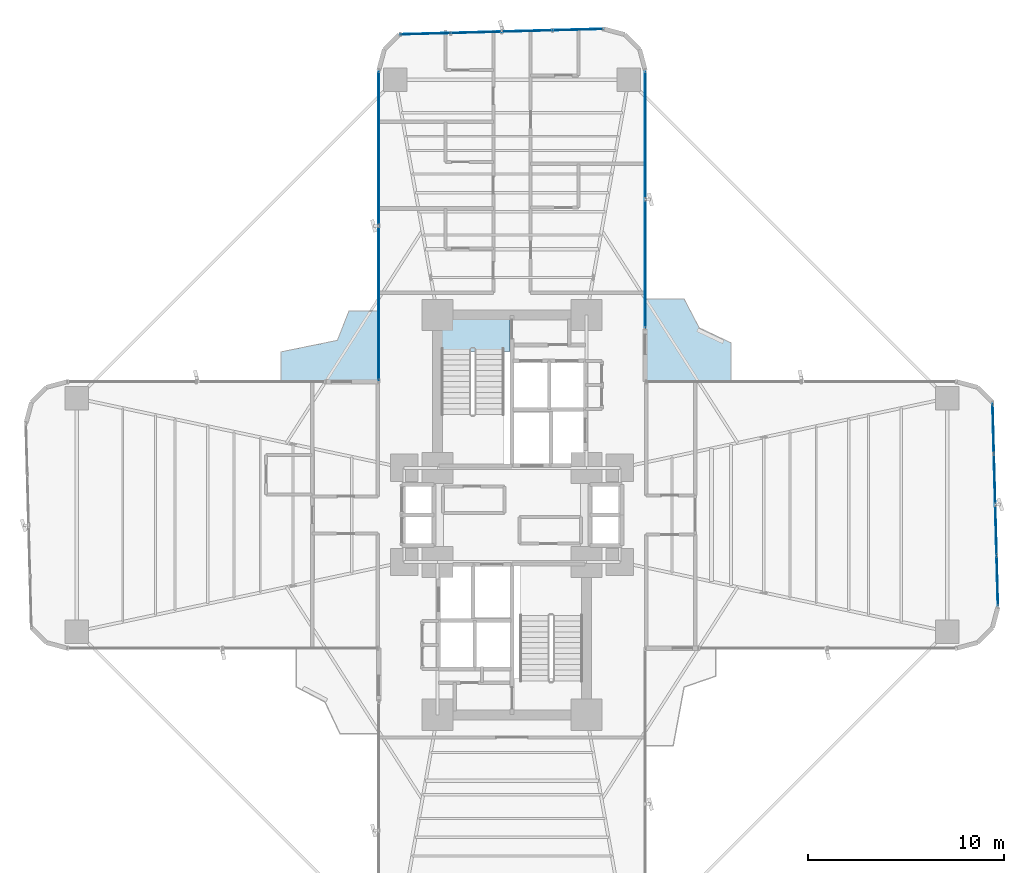
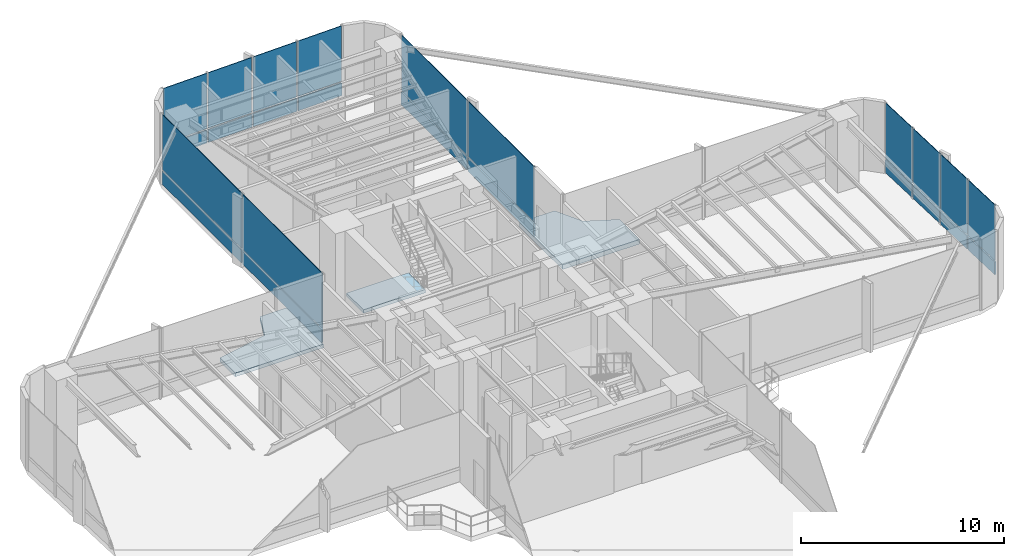
# One storey, part 14 of 20: 24 plates, 3 slabs, 4 elements without a shape of their own.
"""IFC4 building model written with IfcOpenShell, lengths in metres."""

from ifc_helpers import new_model, si_unit, direction, frame, origin, origin_2d, place, context, subcontext, project, spatial, polyline, rectangle, outline, extrude, source, transform, mapped, material, layer, layer_set, type_object, element, aggregate, save


model = new_model("IFC4")

# Units and contexts
model_context = context("Model", 3, precision=1e-05, world=origin(), true_north=direction((0.0, 1.0)))
body_context = subcontext(model_context, "Body", "Model", "MODEL_VIEW")
ifc_project = project(units=[si_unit("LENGTHUNIT", "METRE"), si_unit("AREAUNIT", "SQUARE_METRE"), si_unit("VOLUMEUNIT", "CUBIC_METRE"), si_unit("PLANEANGLEUNIT", "RADIAN"), si_unit("MASSUNIT", "GRAM", prefix="KILO")], contexts=[model_context])

# Site, building, storey
site_placement = place(None, origin())
site = spatial("IfcSite", under=ifc_project, at=site_placement, CompositionType="ELEMENT")
building_placement = place(site_placement, origin())
building = spatial("IfcBuilding", under=site, at=building_placement, Name="Sahyath Konkavel Grand Hotel", CompositionType="ELEMENT")
storey_placement = place(building_placement, frame((0.0, 0.0, 46.550048828125)))
storey = spatial("IfcBuildingStorey", under=building, at=storey_placement, Name="L12", CompositionType="ELEMENT", Elevation=46.550048828125)

# Slabs
ifc_material_1 = material(Name="Concrete C40/50", Category="concrete")
ifc_layer_1 = layer(ifc_material_1, 0.219970703125)
ifc_layer_set_1 = layer_set([ifc_layer_1], Name="Concrete C40/50")
slab_type_1 = type_object("IfcSlabType", Name="SLB-BALCONY-220", PredefinedType="FLOOR", material=ifc_layer_set_1)
slab_1_placement = place(storey_placement, frame((0.0, 0.0, -0.219970703125)))
element("IfcSlab", 1, at=slab_1_placement, inside=storey, type_object=slab_type_1, Name="L12 Winter-Garden Balcony NW", PredefinedType="FLOOR", context=body_context, shape_type="SweptSolid", body=[
    extrude(outline(polyline([(-6.800048828125, 6.800048828125), (-6.800048828125, 10.404052734375), (-8.319091796875, 10.404052734375), (-8.909912109375, 8.909912109375), (-11.7958984375, 8.319091796875), (-11.7958984375, 6.800048828125), (-6.800048828125, 6.800048828125)])), origin(), (0.0, 0.0, 1.0), 0.219970703125),
])
ifc_layer_2 = layer(ifc_material_1, 0.280029296875)
ifc_layer_set_2 = layer_set([ifc_layer_2], Name="Concrete C40/50")
slab_type_2 = type_object("IfcSlabType", Name="SLB-SKYGARDEN-280", PredefinedType="ROOF", material=ifc_layer_set_2)
slab_2_placement = place(storey_placement, frame((0.0, 0.0, -0.280029296875)))
element("IfcSlab", 2, at=slab_2_placement, inside=storey, type_object=slab_type_2, Name="L12 Planted Sky Garden Terrace NE", PredefinedType="ROOF", context=body_context, shape_type="SweptSolid", body=[
    extrude(outline(polyline([(6.800048828125, 6.800048828125), (11.177001953125, 6.800048828125), (11.177001953125, 8.780029296875), (9.550048828125, 9.550048828125), (8.780029296875, 11.02294921875), (6.800048828125, 11.02294921875), (6.800048828125, 6.800048828125)])), origin(), (0.0, 0.0, 1.0), 0.280029296875),
])
ifc_layer_3 = layer(ifc_material_1, 0.199951171875)
ifc_layer_set_3 = layer_set([ifc_layer_3], Name="Concrete C40/50")
slab_type_3 = type_object("IfcSlabType", Name="SLB-STAIR-LND", PredefinedType="LANDING", material=ifc_layer_set_3)
slab_3_placement = place(storey_placement, frame((0.0, 0.0, -0.199951171875)))
element("IfcSlab", 3, at=slab_3_placement, inside=storey, type_object=slab_type_3, Name="L12 Stair ST-1 Floor Landing Slab", PredefinedType="LANDING", context=body_context, shape_type="SweptSolid", body=[
    extrude(outline(polyline([(-3.6201171875, 8.35009765625), (-0.10009765625, 8.35009765625), (-0.10009765625, 10.02001953125), (-3.6201171875, 10.02001953125), (-3.6201171875, 8.35009765625)])), origin(), (0.0, 0.0, 1.0), 0.199951171875),
])

# Curtain wall, plates
ifc_material_2 = material(Name="Anodised Bronze Aluminium & Low-E Glazing", Category="aluminium")
curtain_wall_type = type_object("IfcCurtainWallType", Name="CW-SKYLOBBY", PredefinedType="NOTDEFINED", material=ifc_material_2)
curtain_wall_1_placement = place(storey_placement, origin())
curtain_wall_1 = element("IfcCurtainWall", 4, at=curtain_wall_1_placement, inside=storey, type_object=curtain_wall_type, Name="L12 Unitised Curtain Wall F15", PredefinedType="NOTDEFINED")
ifc_material_3 = material(Name="Warm Buff Sandstone Cladding", Category="masonry")
ifc_layer_4 = layer(ifc_material_3, 0.074951171875)
ifc_layer_set_4 = layer_set([ifc_layer_4], Name="Warm Buff Sandstone Cladding")
plate_type_1 = type_object("IfcPlateType", Name="PNL-SPANDREL-STONE", PredefinedType="SHEET", material=ifc_layer_set_4)
shared_shape_1 = source(origin(), body_context, "Body", "SweptSolid", [
    extrude(rectangle(XDim=7.830078125, YDim=0.074951171875, at=origin_2d()), origin(), (0.0, 0.0, 1.0), 0.77001953125),
])
plate_1_placement = place(storey_placement, frame((-6.800048828125, 18.705078125, 0.0400390625), z_axis=(0.0, 0.0, 1.0), x_axis=(0.0, -1.0, 0.0)))
plate_1 = element("IfcPlate", 5, at=plate_1_placement, type_object=plate_type_1, Name="L12 Sandstone Relief Spandrel Panel F15-0", PredefinedType="SHEET", context=body_context, shape_type="MappedRepresentation", body=[
    mapped(shared_shape_1, transform((0.0, 0.0, 0.0), scale=1.0)),
])
plate_2_placement = place(storey_placement, frame((-6.800048828125, 10.794921875, 0.0400390625), z_axis=(0.0, 0.0, 1.0), x_axis=(0.0, -1.0, 0.0)))
plate_2 = element("IfcPlate", 6, at=plate_2_placement, type_object=plate_type_1, Name="L12 Sandstone Relief Spandrel Panel F15-1", PredefinedType="SHEET", context=body_context, shape_type="MappedRepresentation", body=[
    mapped(shared_shape_1, transform((0.0, 0.0, 0.0), scale=1.0)),
])

curtain_wall_2_placement = place(storey_placement, origin())
curtain_wall_2 = element("IfcCurtainWall", 7, at=curtain_wall_2_placement, inside=storey, type_object=curtain_wall_type, Name="L12 Unitised Curtain Wall F4", PredefinedType="NOTDEFINED")
shared_shape_2 = source(origin(), body_context, "Body", "SweptSolid", [
    extrude(rectangle(XDim=2.513427734375, YDim=0.074951171875, at=origin_2d()), origin(), (0.0, 0.0, 1.0), 0.77001953125),
])
plate_3_placement = place(storey_placement, frame((24.763916015625, -3.36376953125, 0.0400390625), z_axis=(0.0, 0.0, 1.0), x_axis=(-0.026909728301, 0.999637867691, 0.0)))
plate_3 = element("IfcPlate", 8, at=plate_3_placement, type_object=plate_type_1, Name="L12 Sandstone Relief Spandrel Panel F4-0", PredefinedType="SHEET", context=body_context, shape_type="MappedRepresentation", body=[
    mapped(shared_shape_2, transform((0.0, 0.0, 0.0), scale=1.0)),
])
plate_4_placement = place(storey_placement, frame((24.694091796875, -0.771240234375, 0.0400390625), z_axis=(0.0, 0.0, 1.0), x_axis=(-0.026909728301, 0.999637867691, 0.0)))
plate_4 = element("IfcPlate", 9, at=plate_4_placement, type_object=plate_type_1, Name="L12 Sandstone Relief Spandrel Panel F4-1", PredefinedType="SHEET", context=body_context, shape_type="MappedRepresentation", body=[
    mapped(shared_shape_2, transform((0.0, 0.0, 0.0), scale=1.0)),
])
plate_5_placement = place(storey_placement, frame((24.62451171875, 1.8212890625, 0.0400390625), z_axis=(0.0, 0.0, 1.0), x_axis=(-0.026909728301, 0.999637867691, 0.0)))
plate_5 = element("IfcPlate", 10, at=plate_5_placement, type_object=plate_type_1, Name="L12 Sandstone Relief Spandrel Panel F4-2", PredefinedType="SHEET", context=body_context, shape_type="MappedRepresentation", body=[
    mapped(shared_shape_2, transform((0.0, 0.0, 0.0), scale=1.0)),
])
plate_6_placement = place(storey_placement, frame((24.5546875, 4.413818359375, 0.0400390625), z_axis=(0.0, 0.0, 1.0), x_axis=(-0.026909728301, 0.999637867691, 0.0)))
plate_6 = element("IfcPlate", 11, at=plate_6_placement, type_object=plate_type_1, Name="L12 Sandstone Relief Spandrel Panel F4-3", PredefinedType="SHEET", context=body_context, shape_type="MappedRepresentation", body=[
    mapped(shared_shape_2, transform((0.0, 0.0, 0.0), scale=1.0)),
])

curtain_wall_3_placement = place(storey_placement, origin())
curtain_wall_3 = element("IfcCurtainWall", 12, at=curtain_wall_3_placement, inside=storey, type_object=curtain_wall_type, Name="L12 Unitised Curtain Wall F12", PredefinedType="NOTDEFINED")
plate_7_placement = place(storey_placement, frame((3.36376953125, 24.763916015625, 0.0400390625), z_axis=(0.0, 0.0, 1.0), x_axis=(-0.999637867691, -0.026909728301, 0.0)))
plate_7 = element("IfcPlate", 13, at=plate_7_placement, type_object=plate_type_1, Name="L12 Sandstone Relief Spandrel Panel F12-0", PredefinedType="SHEET", context=body_context, shape_type="MappedRepresentation", body=[
    mapped(shared_shape_2, transform((0.0, 0.0, 0.0), scale=1.0)),
])
plate_8_placement = place(storey_placement, frame((0.771240234375, 24.694091796875, 0.0400390625), z_axis=(0.0, 0.0, 1.0), x_axis=(-0.999637867691, -0.026909728301, 0.0)))
plate_8 = element("IfcPlate", 14, at=plate_8_placement, type_object=plate_type_1, Name="L12 Sandstone Relief Spandrel Panel F12-1", PredefinedType="SHEET", context=body_context, shape_type="MappedRepresentation", body=[
    mapped(shared_shape_2, transform((0.0, 0.0, 0.0), scale=1.0)),
])
plate_9_placement = place(storey_placement, frame((-1.8212890625, 24.62451171875, 0.0400390625), z_axis=(0.0, 0.0, 1.0), x_axis=(-0.999637867691, -0.026909728301, 0.0)))
plate_9 = element("IfcPlate", 15, at=plate_9_placement, type_object=plate_type_1, Name="L12 Sandstone Relief Spandrel Panel F12-2", PredefinedType="SHEET", context=body_context, shape_type="MappedRepresentation", body=[
    mapped(shared_shape_2, transform((0.0, 0.0, 0.0), scale=1.0)),
])
plate_10_placement = place(storey_placement, frame((-4.413818359375, 24.5546875, 0.0400390625), z_axis=(0.0, 0.0, 1.0), x_axis=(-0.999637867691, -0.026909728301, 0.0)))
plate_10 = element("IfcPlate", 16, at=plate_10_placement, type_object=plate_type_1, Name="L12 Sandstone Relief Spandrel Panel F12-3", PredefinedType="SHEET", context=body_context, shape_type="MappedRepresentation", body=[
    mapped(shared_shape_2, transform((0.0, 0.0, 0.0), scale=1.0)),
])

curtain_wall_4_placement = place(storey_placement, origin())
curtain_wall_4 = element("IfcCurtainWall", 17, at=curtain_wall_4_placement, inside=storey, type_object=curtain_wall_type, Name="L12 Unitised Curtain Wall F8", PredefinedType="NOTDEFINED")
shared_shape_3 = source(origin(), body_context, "Body", "SweptSolid", [
    extrude(rectangle(XDim=6.47998046875, YDim=0.074951171875, at=origin_2d()), origin(), (0.0, 0.0, 1.0), 0.77001953125),
])
plate_11_placement = place(storey_placement, frame((6.800048828125, 12.820068359375, 0.0400390625), z_axis=(0.0, 0.0, 1.0), x_axis=(0.0, 1.0, 0.0)))
plate_11 = element("IfcPlate", 18, at=plate_11_placement, type_object=plate_type_1, Name="L12 Sandstone Relief Spandrel Panel F8-0", PredefinedType="SHEET", context=body_context, shape_type="MappedRepresentation", body=[
    mapped(shared_shape_3, transform((0.0, 0.0, 0.0), scale=1.0)),
])
plate_12_placement = place(storey_placement, frame((6.800048828125, 19.3798828125, 0.0400390625), z_axis=(0.0, 0.0, 1.0), x_axis=(0.0, 1.0, 0.0)))
plate_12 = element("IfcPlate", 19, at=plate_12_placement, type_object=plate_type_1, Name="L12 Sandstone Relief Spandrel Panel F8-1", PredefinedType="SHEET", context=body_context, shape_type="MappedRepresentation", body=[
    mapped(shared_shape_3, transform((0.0, 0.0, 0.0), scale=1.0)),
])
ifc_material_4 = material(Name="Low-E Solar Control Double Glazing", Category="glass")
ifc_layer_5 = layer(ifc_material_4, 0.035888671875)
ifc_layer_set_5 = layer_set([ifc_layer_5], Name="Low-E Solar Control Double Glazing")
plate_type_2 = type_object("IfcPlateType", Name="PNL-VISION-LOWE", PredefinedType="CURTAIN_PANEL", material=ifc_layer_set_5)
shared_shape_4 = source(origin(), body_context, "Body", "SweptSolid", [
    extrude(rectangle(XDim=6.47998046875, YDim=0.035888671875, at=origin_2d()), origin(), (0.0, 0.0, 1.0), 3.330078125),
])
plate_13_placement = place(storey_placement, frame((6.800048828125, 12.820068359375, 0.889892578125), z_axis=(0.0, 0.0, 1.0), x_axis=(0.0, 1.0, 0.0)))
plate_13 = element("IfcPlate", 20, at=plate_13_placement, type_object=plate_type_2, Name="L12 Low-E Vision Glazing Panel F8-0", PredefinedType="CURTAIN_PANEL", context=body_context, shape_type="MappedRepresentation", body=[
    mapped(shared_shape_4, transform((0.0, 0.0, 0.0), scale=1.0)),
])
plate_14_placement = place(storey_placement, frame((6.800048828125, 19.3798828125, 0.889892578125), z_axis=(0.0, 0.0, 1.0), x_axis=(0.0, 1.0, 0.0)))
plate_14 = element("IfcPlate", 21, at=plate_14_placement, type_object=plate_type_2, Name="L12 Low-E Vision Glazing Panel F8-1", PredefinedType="CURTAIN_PANEL", context=body_context, shape_type="MappedRepresentation", body=[
    mapped(shared_shape_4, transform((0.0, 0.0, 0.0), scale=1.0)),
])
aggregate(curtain_wall_4, [plate_11, plate_13, plate_12, plate_14])

# Plate
shared_shape_5 = source(origin(), body_context, "Body", "SweptSolid", [
    extrude(rectangle(XDim=2.513427734375, YDim=0.035888671875, at=origin_2d()), origin(), (0.0, 0.0, 1.0), 3.330078125),
])
plate_15_placement = place(storey_placement, frame((24.763916015625, -3.36376953125, 0.889892578125), z_axis=(0.0, 0.0, 1.0), x_axis=(-0.026909728301, 0.999637867691, 0.0)))
plate_15 = element("IfcPlate", 22, at=plate_15_placement, type_object=plate_type_2, Name="L12 Low-E Vision Glazing Panel F4-0", PredefinedType="CURTAIN_PANEL", context=body_context, shape_type="MappedRepresentation", body=[
    mapped(shared_shape_5, transform((0.0, 0.0, 0.0), scale=1.0)),
])

plate_16_placement = place(storey_placement, frame((24.694091796875, -0.771240234375, 0.889892578125), z_axis=(0.0, 0.0, 1.0), x_axis=(-0.026909728301, 0.999637867691, 0.0)))
plate_16 = element("IfcPlate", 23, at=plate_16_placement, type_object=plate_type_2, Name="L12 Low-E Vision Glazing Panel F4-1", PredefinedType="CURTAIN_PANEL", context=body_context, shape_type="MappedRepresentation", body=[
    mapped(shared_shape_5, transform((0.0, 0.0, 0.0), scale=1.0)),
])

plate_17_placement = place(storey_placement, frame((24.62451171875, 1.8212890625, 0.889892578125), z_axis=(0.0, 0.0, 1.0), x_axis=(-0.026909728301, 0.999637867691, 0.0)))
plate_17 = element("IfcPlate", 24, at=plate_17_placement, type_object=plate_type_2, Name="L12 Low-E Vision Glazing Panel F4-2", PredefinedType="CURTAIN_PANEL", context=body_context, shape_type="MappedRepresentation", body=[
    mapped(shared_shape_5, transform((0.0, 0.0, 0.0), scale=1.0)),
])

plate_18_placement = place(storey_placement, frame((24.5546875, 4.413818359375, 0.889892578125), z_axis=(0.0, 0.0, 1.0), x_axis=(-0.026909728301, 0.999637867691, 0.0)))
plate_18 = element("IfcPlate", 25, at=plate_18_placement, type_object=plate_type_2, Name="L12 Low-E Vision Glazing Panel F4-3", PredefinedType="CURTAIN_PANEL", context=body_context, shape_type="MappedRepresentation", body=[
    mapped(shared_shape_5, transform((0.0, 0.0, 0.0), scale=1.0)),
])

aggregate(curtain_wall_2, [plate_3, plate_15, plate_4, plate_16, plate_5, plate_17, plate_6, plate_18])

plate_19_placement = place(storey_placement, frame((3.36376953125, 24.763916015625, 0.889892578125), z_axis=(0.0, 0.0, 1.0), x_axis=(-0.999637867691, -0.026909728301, 0.0)))
plate_19 = element("IfcPlate", 26, at=plate_19_placement, type_object=plate_type_2, Name="L12 Low-E Vision Glazing Panel F12-0", PredefinedType="CURTAIN_PANEL", context=body_context, shape_type="MappedRepresentation", body=[
    mapped(shared_shape_5, transform((0.0, 0.0, 0.0), scale=1.0)),
])

plate_20_placement = place(storey_placement, frame((0.771240234375, 24.694091796875, 0.889892578125), z_axis=(0.0, 0.0, 1.0), x_axis=(-0.999637867691, -0.026909728301, 0.0)))
plate_20 = element("IfcPlate", 27, at=plate_20_placement, type_object=plate_type_2, Name="L12 Low-E Vision Glazing Panel F12-1", PredefinedType="CURTAIN_PANEL", context=body_context, shape_type="MappedRepresentation", body=[
    mapped(shared_shape_5, transform((0.0, 0.0, 0.0), scale=1.0)),
])

plate_21_placement = place(storey_placement, frame((-1.8212890625, 24.62451171875, 0.889892578125), z_axis=(0.0, 0.0, 1.0), x_axis=(-0.999637867691, -0.026909728301, 0.0)))
plate_21 = element("IfcPlate", 28, at=plate_21_placement, type_object=plate_type_2, Name="L12 Low-E Vision Glazing Panel F12-2", PredefinedType="CURTAIN_PANEL", context=body_context, shape_type="MappedRepresentation", body=[
    mapped(shared_shape_5, transform((0.0, 0.0, 0.0), scale=1.0)),
])

plate_22_placement = place(storey_placement, frame((-4.413818359375, 24.5546875, 0.889892578125), z_axis=(0.0, 0.0, 1.0), x_axis=(-0.999637867691, -0.026909728301, 0.0)))
plate_22 = element("IfcPlate", 29, at=plate_22_placement, type_object=plate_type_2, Name="L12 Low-E Vision Glazing Panel F12-3", PredefinedType="CURTAIN_PANEL", context=body_context, shape_type="MappedRepresentation", body=[
    mapped(shared_shape_5, transform((0.0, 0.0, 0.0), scale=1.0)),
])

aggregate(curtain_wall_3, [plate_7, plate_19, plate_8, plate_20, plate_9, plate_21, plate_10, plate_22])

shared_shape_6 = source(origin(), body_context, "Body", "SweptSolid", [
    extrude(rectangle(XDim=7.830078125, YDim=0.035888671875, at=origin_2d()), origin(), (0.0, 0.0, 1.0), 3.330078125),
])
plate_23_placement = place(storey_placement, frame((-6.800048828125, 18.705078125, 0.889892578125), z_axis=(0.0, 0.0, 1.0), x_axis=(0.0, -1.0, 0.0)))
plate_23 = element("IfcPlate", 30, at=plate_23_placement, type_object=plate_type_2, Name="L12 Low-E Vision Glazing Panel F15-0", PredefinedType="CURTAIN_PANEL", context=body_context, shape_type="MappedRepresentation", body=[
    mapped(shared_shape_6, transform((0.0, 0.0, 0.0), scale=1.0)),
])

plate_24_placement = place(storey_placement, frame((-6.800048828125, 10.794921875, 0.889892578125), z_axis=(0.0, 0.0, 1.0), x_axis=(0.0, -1.0, 0.0)))
plate_24 = element("IfcPlate", 31, at=plate_24_placement, type_object=plate_type_2, Name="L12 Low-E Vision Glazing Panel F15-1", PredefinedType="CURTAIN_PANEL", context=body_context, shape_type="MappedRepresentation", body=[
    mapped(shared_shape_6, transform((0.0, 0.0, 0.0), scale=1.0)),
])

aggregate(curtain_wall_1, [plate_1, plate_23, plate_2, plate_24])

save(model, "model.ifc")
